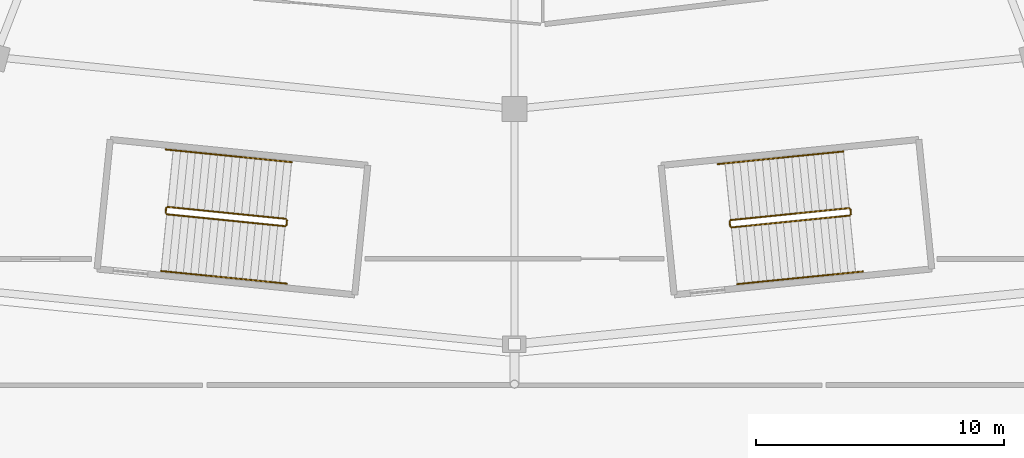
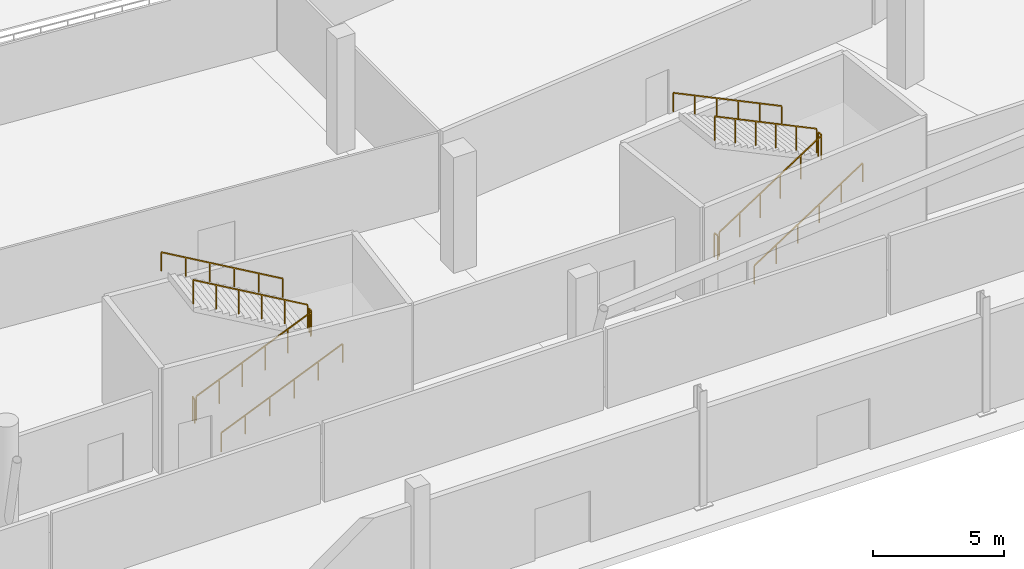
# One storey, part 62 of 82: 12 railings.
"""IFC4 building model written with IfcOpenShell, lengths in metres."""

import ifcopenshell
import ifcopenshell.guid

model = None  # the IFC model being written
_history = None  # IfcOwnerHistory: only IFC2X3 demands one
_inside = {}  # id of a spatial element -> (the spatial element, [elements in it])
_under = {}  # id of a project, library or spatial element -> (it, [spatial elements below it])
_declared = {}  # id of a project -> (the project, [libraries it declares])
_typed = {}  # id of a type object -> (the type object, [elements of that type])
_made_of = {}  # id of a material, layer set ... -> (it, [elements and type objects made of it])


def new_model(schema):
    """Start an empty IFC model of exactly this schema.

    Asked for "IFC4X3", IfcOpenShell would pick the latest addendum, in which some entities
    have other attributes; the version numbers below select the first issue.
    IFC2X3 requires an IfcOwnerHistory on every rooted entity: one is made here for all.
    """
    global model, _history
    if schema == "IFC4X3":
        model = ifcopenshell.file(schema_version=(4, 3, 0, 0))
    else:
        model = ifcopenshell.file(schema=schema)
    _inside.clear()
    _under.clear()
    _declared.clear()
    _typed.clear()
    _made_of.clear()
    _history = None
    if model.schema == "IFC2X3":
        org = make("IfcOrganization", Name="unknown")
        user = make(
            "IfcPersonAndOrganization",
            ThePerson=make("IfcPerson", FamilyName="unknown"),
            TheOrganization=org,
        )
        app = make(
            "IfcApplication",
            ApplicationDeveloper=org,
            Version="unknown",
            ApplicationFullName="unknown",
            ApplicationIdentifier="unknown",
        )
        _history = make(
            "IfcOwnerHistory",
            OwningUser=user,
            OwningApplication=app,
            ChangeAction="ADDED",
            CreationDate=0,
        )
    return model


def make(cls, **values):
    """One entity of the class cls with the attributes given. An attribute that is None is left unset."""
    return model.create_entity(
        cls, **{name: value for name, value in values.items() if value is not None}
    )


def rooted(cls, **values):
    """An entity with a GlobalId (a new one), such as an element, a storey or a relation."""
    return make(cls, GlobalId=ifcopenshell.guid.new(), OwnerHistory=_history, **values)


def si_unit(unit_type, name, prefix=None):
    """IfcSIUnit, for example si_unit("LENGTHUNIT", "METRE", prefix="MILLI")."""
    return make("IfcSIUnit", UnitType=unit_type, Prefix=prefix, Name=name)


def assignment(units):
    """IfcUnitAssignment: the units of a project."""
    return None if units is None else make("IfcUnitAssignment", Units=units)


def point(xyz):
    """IfcCartesianPoint."""
    return None if xyz is None else make("IfcCartesianPoint", Coordinates=xyz)


def direction(xyz):
    """IfcDirection."""
    return None if xyz is None else make("IfcDirection", DirectionRatios=xyz)


def frame(location, z_axis=None, x_axis=None):
    """IfcAxis2Placement3D, a coordinate frame: its origin and axes. An axis left out is left unset."""
    return make(
        "IfcAxis2Placement3D",
        Location=point(location),
        Axis=direction(z_axis),
        RefDirection=direction(x_axis),
    )


def frame_2d(location, x_axis=None):
    """IfcAxis2Placement2D, a coordinate frame in the plane: its origin and x axis."""
    return make(
        "IfcAxis2Placement2D", Location=point(location), RefDirection=direction(x_axis)
    )


def origin():
    """The frame at (0, 0, 0) with its axes left unset."""
    return frame((0.0, 0.0, 0.0))


def origin_2d():
    """The frame at (0, 0) in the plane with its x axis left unset."""
    return frame_2d((0.0, 0.0))


def place(relative_to, where):
    """IfcLocalPlacement: puts the frame where relative to a parent placement (None: the world)."""
    return make(
        "IfcLocalPlacement", PlacementRelTo=relative_to, RelativePlacement=where
    )


def context(
    kind, dimensions, precision=None, world=None, true_north=None, identifier=None
):
    """IfcGeometricRepresentationContext, for example the 3D "Model" context."""
    return make(
        "IfcGeometricRepresentationContext",
        ContextIdentifier=identifier,
        ContextType=kind,
        CoordinateSpaceDimension=dimensions,
        Precision=precision,
        WorldCoordinateSystem=world,
        TrueNorth=true_north,
    )


def subcontext(parent, identifier, kind, view, scale=None):
    """IfcGeometricRepresentationSubContext, for example "Body" below "Model"."""
    return make(
        "IfcGeometricRepresentationSubContext",
        ContextIdentifier=identifier,
        ContextType=kind,
        ParentContext=parent,
        TargetScale=scale,
        TargetView=view,
    )


def project(units=None, contexts=None):
    """IfcProject with its units and contexts."""
    return rooted(
        "IfcProject",
        Name="project",
        RepresentationContexts=contexts,
        UnitsInContext=assignment(units),
    )


def spatial(cls, under=None, at=None, **own):
    """A site, building, storey or space (cls), placed at a placement, below another one or the project."""
    s = rooted(cls, ObjectPlacement=at, **own)
    if under is not None:
        _under.setdefault(under.id(), (under, []))[1].append(s)
    return s


def profile(cls, at=None, kind="AREA", **sizes):
    """A parametric profile (cls). Its sizes go by their IFC names, for example OverallWidth=200.0."""
    return make(cls, ProfileType=kind, Position=at, **sizes)


def rectangle(**sizes):
    """IfcRectangleProfileDef."""
    return profile("IfcRectangleProfileDef", **sizes)


def extrude(swept, where, along, depth):
    """IfcExtrudedAreaSolid: the profile swept, set in the frame where, extruded along a direction by depth."""
    return make(
        "IfcExtrudedAreaSolid",
        SweptArea=swept,
        Position=where,
        ExtrudedDirection=direction(along),
        Depth=depth,
    )


def shape(context_of_items, identifier, shape_type, items):
    """IfcShapeRepresentation: the items that make up one representation, for example the "Body"."""
    return make(
        "IfcShapeRepresentation",
        ContextOfItems=context_of_items,
        RepresentationIdentifier=identifier,
        RepresentationType=shape_type,
        Items=items,
    )


def material(Name=None, Category=None):
    """IfcMaterial."""
    return make("IfcMaterial", Name=Name, Category=Category)


def made_of(thing, what):
    """Note that an element or type object is made of a material, layer set ...; save() writes the relation."""
    if what is not None:
        _made_of.setdefault(what.id(), (what, []))[1].append(thing)
    return thing


def type_object(cls, material=None, **own):
    """A type object (cls), such as IfcWallType, which elements share."""
    return made_of(rooted(cls, **own), material)


def element(
    cls,
    number,
    at=None,
    inside=None,
    cuts=None,
    type_object=None,
    material=None,
    context=None,
    identifier="Body",
    shape_type=None,
    held_by="IfcProductDefinitionShape",
    body=None,
    shapes=None,
    **own,
):
    """One element of the class cls, such as IfcWall. Its Tag is "e" and its number.

    at: its placement. inside: the storey or other place that contains it. cuts: it is an
    opening in that element (IfcRelVoidsElement). A single representation is given by context,
    identifier, shape_type and body (its items); several are given by shapes. held_by: the class
    of the entity that holds the representations. save() writes the other relations.
    """
    e = rooted(cls, Tag="e%d" % number, ObjectPlacement=at, **own)
    if body is not None:
        shapes = [shape(context, identifier, shape_type, body)]
    if shapes is not None:
        e.Representation = make(held_by, Representations=shapes)
    if inside is not None:
        _inside.setdefault(inside.id(), (inside, []))[1].append(e)
    if cuts is not None:
        rooted(
            "IfcRelVoidsElement", RelatingBuildingElement=cuts, RelatedOpeningElement=e
        )
    if type_object is not None:
        _typed.setdefault(type_object.id(), (type_object, []))[1].append(e)
    return made_of(e, material)


def aggregate(whole, parts):
    """IfcRelAggregates: a whole, such as a stair, and the parts it consists of."""
    return rooted("IfcRelAggregates", RelatingObject=whole, RelatedObjects=parts)


def save(model, path):
    """Write the relations noted so far, then the file.

    IfcRelAggregates (storeys below a building ...), IfcRelContainedInSpatialStructure (elements
    in a storey), IfcRelDefinesByType, IfcRelAssociatesMaterial and IfcRelDeclares: one each for
    every whole, place, type object, material and project.
    """
    for whole, parts in _under.values():
        aggregate(whole, parts)
    for where, things in _inside.values():
        rooted(
            "IfcRelContainedInSpatialStructure",
            RelatedElements=things,
            RelatingStructure=where,
        )
    for kind, things in _typed.values():
        rooted("IfcRelDefinesByType", RelatedObjects=things, RelatingType=kind)
    for what, things in _made_of.values():
        rooted("IfcRelAssociatesMaterial", RelatedObjects=things, RelatingMaterial=what)
    for by, libraries in _declared.values():
        rooted("IfcRelDeclares", RelatingContext=by, RelatedDefinitions=libraries)
    model.write(path)


model = new_model("IFC4")

# Units and contexts
model_context = context("Model", 3, precision=1e-05, world=origin(), true_north=direction((0.0, 1.0)))
body_context = subcontext(model_context, "Body", "Model", "MODEL_VIEW")
ifc_project = project(units=[si_unit("LENGTHUNIT", "METRE"), si_unit("AREAUNIT", "SQUARE_METRE"), si_unit("VOLUMEUNIT", "CUBIC_METRE"), si_unit("PLANEANGLEUNIT", "RADIAN"), si_unit("MASSUNIT", "GRAM", prefix="KILO")], contexts=[model_context])

# Site, building, storey
site_placement = place(None, origin())
site = spatial("IfcSite", under=ifc_project, at=site_placement, CompositionType="ELEMENT")
building_placement = place(site_placement, origin())
building = spatial("IfcBuilding", under=site, at=building_placement, Name="Zlatoyarsky Gate Stadium", CompositionType="ELEMENT")
storey_placement = place(building_placement, origin())
storey = spatial("IfcBuildingStorey", under=building, at=storey_placement, Name="L00", CompositionType="ELEMENT", Elevation=0.0)

# Railings
ifc_material_1 = material(Name="Powder-coated steel stair guardrail", Category="steel")
railing_type_1 = type_object("IfcRailingType", Name="PAINTED STEEL STAIR WELL GUARDRAIL 1150", PredefinedType="GUARDRAIL", material=ifc_material_1)
railing_1_placement = place(storey_placement, frame((119.760986328125, 13.717529296875, 0.158935546875)))
element("IfcRailing", 1, at=railing_1_placement, inside=storey, type_object=railing_type_1, Name="ST-10 L00 stair guard 1", PredefinedType="GUARDRAIL", context=body_context, shape_type="SweptSolid", body=[
    extrude(rectangle(XDim=0.048095703125, YDim=0.048095703125, at=origin_2d()), frame((0.0, 0.0, 1.1259765625), z_axis=(0.879377991235, 0.088373824606, 0.46785084766), x_axis=(-0.099992171352, 0.994988223884, 0.0)), (0.0, 0.0, 1.0), 5.43115234375),
    extrude(rectangle(XDim=0.0419921875, YDim=0.0419921875, at=origin_2d()), origin(), (0.0, 0.0, 1.0), 1.101806640625),
    extrude(rectangle(XDim=0.0419921875, YDim=0.0419921875, at=origin_2d()), frame((0.955322265625, 0.095947265625, 0.50830078125)), (0.0, 0.0, 1.0), 1.101806640625),
    extrude(rectangle(XDim=0.0419921875, YDim=0.0419921875, at=origin_2d()), frame((1.910400390625, 0.19189453125, 1.016357421875)), (0.0, 0.0, 1.0), 1.101806640625),
    extrude(rectangle(XDim=0.0419921875, YDim=0.0419921875, at=origin_2d()), frame((2.86572265625, 0.2880859375, 1.524658203125)), (0.0, 0.0, 1.0), 1.101806640625),
    extrude(rectangle(XDim=0.0419921875, YDim=0.0419921875, at=origin_2d()), frame((3.82080078125, 0.384033203125, 2.03271484375)), (0.0, 0.0, 1.0), 1.101806640625),
    extrude(rectangle(XDim=0.0419921875, YDim=0.0419921875, at=origin_2d()), frame((4.776123046875, 0.47998046875, 2.541015625)), (0.0, 0.0, 1.0), 1.101806640625),
])
railing_2_placement = place(storey_placement, frame((124.581787109375, 14.252197265625, 2.699951171875)))
element("IfcRailing", 2, at=railing_2_placement, inside=storey, type_object=railing_type_1, Name="ST-10 L00 stair guard 2", PredefinedType="GUARDRAIL", context=body_context, shape_type="SweptSolid", body=[
    extrude(rectangle(XDim=0.048095703125, YDim=0.048095703125, at=origin_2d()), frame((0.0, 0.0, 1.1259765625), z_axis=(-0.100108072026, 0.994976569531, 0.0), x_axis=(-0.994976569531, -0.100108072026, 0.0)), (0.0, 0.0, 1.0), 0.199951171875),
    extrude(rectangle(XDim=0.0419921875, YDim=0.0419921875, at=origin_2d()), origin(), (0.0, 0.0, 1.0), 1.101806640625),
    extrude(rectangle(XDim=0.0419921875, YDim=0.0419921875, at=origin_2d()), frame((-0.02001953125, 0.198974609375, 0.0)), (0.0, 0.0, 1.0), 1.101806640625),
])
railing_3_placement = place(storey_placement, frame((124.507080078125, 14.495849609375, 2.85888671875)))
element("IfcRailing", 3, at=railing_3_placement, inside=storey, type_object=railing_type_1, Name="ST-10 L00 stair guard 3", PredefinedType="GUARDRAIL", context=body_context, shape_type="SweptSolid", body=[
    extrude(rectangle(XDim=0.048095703125, YDim=0.048095703125, at=origin_2d()), frame((0.0, 0.0, 1.1259765625), z_axis=(-0.879367800475, -0.088377318052, 0.467869341956), x_axis=(0.099997231792, -0.994987715318, 0.0)), (0.0, 0.0, 1.0), 5.43115234375),
    extrude(rectangle(XDim=0.0419921875, YDim=0.0419921875, at=origin_2d()), origin(), (0.0, 0.0, 1.0), 1.101806640625),
    extrude(rectangle(XDim=0.0419921875, YDim=0.0419921875, at=origin_2d()), frame((-0.955078125, -0.095947265625, 0.50830078125)), (0.0, 0.0, 1.0), 1.101806640625),
    extrude(rectangle(XDim=0.0419921875, YDim=0.0419921875, at=origin_2d()), frame((-1.910400390625, -0.19189453125, 1.016357421875)), (0.0, 0.0, 1.0), 1.101806640625),
    extrude(rectangle(XDim=0.0419921875, YDim=0.0419921875, at=origin_2d()), frame((-2.865478515625, -0.2880859375, 1.524658203125)), (0.0, 0.0, 1.0), 1.101806640625),
    extrude(rectangle(XDim=0.0419921875, YDim=0.0419921875, at=origin_2d()), frame((-3.82080078125, -0.384033203125, 2.03271484375)), (0.0, 0.0, 1.0), 1.101806640625),
    extrude(rectangle(XDim=0.0419921875, YDim=0.0419921875, at=origin_2d()), frame((-4.77587890625, -0.47998046875, 2.541015625)), (0.0, 0.0, 1.0), 1.101806640625),
])
railing_4_placement = place(storey_placement, frame((119.706298828125, 13.76220703125, 0.0)))
element("IfcRailing", 4, at=railing_4_placement, inside=storey, type_object=railing_type_1, Name="ST-10 L00 stair guard 4", PredefinedType="GUARDRAIL", context=body_context, shape_type="SweptSolid", body=[
    extrude(rectangle(XDim=0.048095703125, YDim=0.048095703125, at=origin_2d()), frame((0.0, 0.0, 1.1259765625), z_axis=(-0.100108072026, 0.994976569531, 0.0), x_axis=(-0.994976569531, -0.100108072026, 0.0)), (0.0, 0.0, 1.0), 0.199951171875),
    extrude(rectangle(XDim=0.0419921875, YDim=0.0419921875, at=origin_2d()), origin(), (0.0, 0.0, 1.0), 1.101806640625),
    extrude(rectangle(XDim=0.0419921875, YDim=0.0419921875, at=origin_2d()), frame((-0.02001953125, 0.198974609375, 0.0)), (0.0, 0.0, 1.0), 1.101806640625),
])
railing_5_placement = place(storey_placement, frame((96.96533203125, 14.247314453125, 0.158935546875)))
element("IfcRailing", 5, at=railing_5_placement, inside=storey, type_object=railing_type_1, Name="ST-19 L00 stair guard 1", PredefinedType="GUARDRAIL", context=body_context, shape_type="SweptSolid", body=[
    extrude(rectangle(XDim=0.048095703125, YDim=0.048095703125, at=origin_2d()), frame((0.0, 0.0, 1.1259765625), z_axis=(0.879377991235, -0.088373824606, 0.46785084766), x_axis=(0.099992171352, 0.994988223884, 0.0)), (0.0, 0.0, 1.0), 5.43115234375),
    extrude(rectangle(XDim=0.0419921875, YDim=0.0419921875, at=origin_2d()), origin(), (0.0, 0.0, 1.0), 1.101806640625),
    extrude(rectangle(XDim=0.0419921875, YDim=0.0419921875, at=origin_2d()), frame((0.955322265625, -0.095947265625, 0.50830078125)), (0.0, 0.0, 1.0), 1.101806640625),
    extrude(rectangle(XDim=0.0419921875, YDim=0.0419921875, at=origin_2d()), frame((1.910400390625, -0.19189453125, 1.016357421875)), (0.0, 0.0, 1.0), 1.101806640625),
    extrude(rectangle(XDim=0.0419921875, YDim=0.0419921875, at=origin_2d()), frame((2.86572265625, -0.2880859375, 1.524658203125)), (0.0, 0.0, 1.0), 1.101806640625),
    extrude(rectangle(XDim=0.0419921875, YDim=0.0419921875, at=origin_2d()), frame((3.82080078125, -0.384033203125, 2.03271484375)), (0.0, 0.0, 1.0), 1.101806640625),
    extrude(rectangle(XDim=0.0419921875, YDim=0.0419921875, at=origin_2d()), frame((4.776123046875, -0.47998046875, 2.541015625)), (0.0, 0.0, 1.0), 1.101806640625),
])
railing_6_placement = place(storey_placement, frame((101.796142578125, 13.81201171875, 2.699951171875)))
element("IfcRailing", 6, at=railing_6_placement, inside=storey, type_object=railing_type_1, Name="ST-19 L00 stair guard 2", PredefinedType="GUARDRAIL", context=body_context, shape_type="SweptSolid", body=[
    extrude(rectangle(XDim=0.048095703125, YDim=0.048095703125, at=origin_2d()), frame((0.0, 0.0, 1.1259765625), z_axis=(0.099986617797, 0.994988781978, 0.0), x_axis=(-0.994988781978, 0.099986617797, 0.0)), (0.0, 0.0, 1.0), 0.2001953125),
    extrude(rectangle(XDim=0.0419921875, YDim=0.0419921875, at=origin_2d()), origin(), (0.0, 0.0, 1.0), 1.101806640625),
    extrude(rectangle(XDim=0.0419921875, YDim=0.0419921875, at=origin_2d()), frame((0.02001953125, 0.19921875, 0.0)), (0.0, 0.0, 1.0), 1.101806640625),
])
railing_7_placement = place(storey_placement, frame((101.771484375, 14.06591796875, 2.85888671875)))
element("IfcRailing", 7, at=railing_7_placement, inside=storey, type_object=railing_type_1, Name="ST-19 L00 stair guard 3", PredefinedType="GUARDRAIL", context=body_context, shape_type="SweptSolid", body=[
    extrude(rectangle(XDim=0.048095703125, YDim=0.048095703125, at=origin_2d()), frame((0.0, 0.0, 1.1259765625), z_axis=(-0.879377991235, 0.088373824606, 0.46785084766), x_axis=(-0.099992171352, -0.994988223884, 0.0)), (0.0, 0.0, 1.0), 5.43115234375),
    extrude(rectangle(XDim=0.0419921875, YDim=0.0419921875, at=origin_2d()), origin(), (0.0, 0.0, 1.0), 1.101806640625),
    extrude(rectangle(XDim=0.0419921875, YDim=0.0419921875, at=origin_2d()), frame((-0.955322265625, 0.095947265625, 0.50830078125)), (0.0, 0.0, 1.0), 1.101806640625),
    extrude(rectangle(XDim=0.0419921875, YDim=0.0419921875, at=origin_2d()), frame((-1.910400390625, 0.19189453125, 1.016357421875)), (0.0, 0.0, 1.0), 1.101806640625),
    extrude(rectangle(XDim=0.0419921875, YDim=0.0419921875, at=origin_2d()), frame((-2.86572265625, 0.2880859375, 1.524658203125)), (0.0, 0.0, 1.0), 1.101806640625),
    extrude(rectangle(XDim=0.0419921875, YDim=0.0419921875, at=origin_2d()), frame((-3.82080078125, 0.384033203125, 2.03271484375)), (0.0, 0.0, 1.0), 1.101806640625),
    extrude(rectangle(XDim=0.0419921875, YDim=0.0419921875, at=origin_2d()), frame((-4.776123046875, 0.47998046875, 2.541015625)), (0.0, 0.0, 1.0), 1.101806640625),
])
railing_8_placement = place(storey_placement, frame((96.920654296875, 14.30224609375, 0.0)))
element("IfcRailing", 8, at=railing_8_placement, inside=storey, type_object=railing_type_1, Name="ST-19 L00 stair guard 4", PredefinedType="GUARDRAIL", context=body_context, shape_type="SweptSolid", body=[
    extrude(rectangle(XDim=0.048095703125, YDim=0.048095703125, at=origin_2d()), frame((0.0, 0.0, 1.1259765625), z_axis=(0.100108072026, 0.994976569531, 0.0), x_axis=(-0.994976569531, 0.100108072026, 0.0)), (0.0, 0.0, 1.0), 0.199951171875),
    extrude(rectangle(XDim=0.0419921875, YDim=0.0419921875, at=origin_2d()), origin(), (0.0, 0.0, 1.0), 1.101806640625),
    extrude(rectangle(XDim=0.0419921875, YDim=0.0419921875, at=origin_2d()), frame((0.02001953125, 0.198974609375, 0.0)), (0.0, 0.0, 1.0), 1.101806640625),
])
ifc_material_2 = material(Name="Brushed stainless steel 316 handrail", Category="steel")
railing_type_2 = type_object("IfcRailingType", Name="STAINLESS STEEL TUBULAR HANDRAIL 900", PredefinedType="HANDRAIL", material=ifc_material_2)
railing_9_placement = place(storey_placement, frame((119.9912109375, 11.428955078125, 0.162841796875)))
element("IfcRailing", 9, at=railing_9_placement, inside=storey, type_object=railing_type_2, Name="ST-10 L00 stair handrail 1", PredefinedType="HANDRAIL", context=body_context, shape_type="SweptSolid", body=[
    extrude(rectangle(XDim=0.048095703125, YDim=0.048095703125, at=origin_2d()), frame((0.0, 0.0, 0.8759765625), z_axis=(0.879352690417, 0.088383745683, 0.467896526334), x_axis=(-0.100006133008, 0.994986820697, 0.0)), (0.0, 0.0, 1.0), 5.7705078125),
    extrude(rectangle(XDim=0.0419921875, YDim=0.0419921875, at=origin_2d()), origin(), (0.0, 0.0, 1.0), 0.851806640625),
    extrude(rectangle(XDim=0.0419921875, YDim=0.0419921875, at=origin_2d()), frame((1.014892578125, 0.10205078125, 0.5400390625)), (0.0, 0.0, 1.0), 0.851806640625),
    extrude(rectangle(XDim=0.0419921875, YDim=0.0419921875, at=origin_2d()), frame((2.02978515625, 0.2041015625, 1.080078125)), (0.0, 0.0, 1.0), 0.851806640625),
    extrude(rectangle(XDim=0.0419921875, YDim=0.0419921875, at=origin_2d()), frame((3.04443359375, 0.305908203125, 1.619873046875)), (0.0, 0.0, 1.0), 0.851806640625),
    extrude(rectangle(XDim=0.0419921875, YDim=0.0419921875, at=origin_2d()), frame((4.059326171875, 0.407958984375, 2.159912109375)), (0.0, 0.0, 1.0), 0.851806640625),
    extrude(rectangle(XDim=0.0419921875, YDim=0.0419921875, at=origin_2d()), frame((5.07421875, 0.510009765625, 2.699951171875)), (0.0, 0.0, 1.0), 0.851806640625),
])
railing_10_placement = place(storey_placement, frame((124.277099609375, 16.784423828125, 2.86279296875)))
element("IfcRailing", 10, at=railing_10_placement, inside=storey, type_object=railing_type_2, Name="ST-10 L00 stair handrail 2", PredefinedType="HANDRAIL", context=body_context, shape_type="SweptSolid", body=[
    extrude(rectangle(XDim=0.048095703125, YDim=0.048095703125, at=origin_2d()), frame((0.0, 0.0, 0.8759765625), z_axis=(-0.879362283002, -0.088380457503, 0.467879118967), x_axis=(0.100001369668, -0.994987299449, 0.0)), (0.0, 0.0, 1.0), 5.7705078125),
    extrude(rectangle(XDim=0.0419921875, YDim=0.0419921875, at=origin_2d()), origin(), (0.0, 0.0, 1.0), 0.851806640625),
    extrude(rectangle(XDim=0.0419921875, YDim=0.0419921875, at=origin_2d()), frame((-1.014892578125, -0.10205078125, 0.5400390625)), (0.0, 0.0, 1.0), 0.851806640625),
    extrude(rectangle(XDim=0.0419921875, YDim=0.0419921875, at=origin_2d()), frame((-2.02978515625, -0.2041015625, 1.080078125)), (0.0, 0.0, 1.0), 0.851806640625),
    extrude(rectangle(XDim=0.0419921875, YDim=0.0419921875, at=origin_2d()), frame((-3.044677734375, -0.305908203125, 1.619873046875)), (0.0, 0.0, 1.0), 0.851806640625),
    extrude(rectangle(XDim=0.0419921875, YDim=0.0419921875, at=origin_2d()), frame((-4.0595703125, -0.407958984375, 2.159912109375)), (0.0, 0.0, 1.0), 0.851806640625),
    extrude(rectangle(XDim=0.0419921875, YDim=0.0419921875, at=origin_2d()), frame((-5.074462890625, -0.510009765625, 2.699951171875)), (0.0, 0.0, 1.0), 0.851806640625),
])
railing_11_placement = place(storey_placement, frame((96.7353515625, 11.958984375, 0.162841796875)))
element("IfcRailing", 11, at=railing_11_placement, inside=storey, type_object=railing_type_2, Name="ST-19 L00 stair handrail 1", PredefinedType="HANDRAIL", context=body_context, shape_type="SweptSolid", body=[
    extrude(rectangle(XDim=0.048095703125, YDim=0.048095703125, at=origin_2d()), frame((0.0, 0.0, 0.8759765625), z_axis=(0.879362283002, -0.088380457503, 0.467879118967), x_axis=(0.100001369668, 0.994987299449, 0.0)), (0.0, 0.0, 1.0), 5.7705078125),
    extrude(rectangle(XDim=0.0419921875, YDim=0.0419921875, at=origin_2d()), origin(), (0.0, 0.0, 1.0), 0.851806640625),
    extrude(rectangle(XDim=0.0419921875, YDim=0.0419921875, at=origin_2d()), frame((1.014892578125, -0.10205078125, 0.5400390625)), (0.0, 0.0, 1.0), 0.851806640625),
    extrude(rectangle(XDim=0.0419921875, YDim=0.0419921875, at=origin_2d()), frame((2.02978515625, -0.2041015625, 1.080078125)), (0.0, 0.0, 1.0), 0.851806640625),
    extrude(rectangle(XDim=0.0419921875, YDim=0.0419921875, at=origin_2d()), frame((3.044677734375, -0.305908203125, 1.619873046875)), (0.0, 0.0, 1.0), 0.851806640625),
    extrude(rectangle(XDim=0.0419921875, YDim=0.0419921875, at=origin_2d()), frame((4.0595703125, -0.407958984375, 2.159912109375)), (0.0, 0.0, 1.0), 0.851806640625),
    extrude(rectangle(XDim=0.0419921875, YDim=0.0419921875, at=origin_2d()), frame((5.074462890625, -0.510009765625, 2.699951171875)), (0.0, 0.0, 1.0), 0.851806640625),
])
railing_12_placement = place(storey_placement, frame((102.00146484375, 16.354248046875, 2.86279296875)))
element("IfcRailing", 12, at=railing_12_placement, inside=storey, type_object=railing_type_2, Name="ST-19 L00 stair handrail 2", PredefinedType="HANDRAIL", context=body_context, shape_type="SweptSolid", body=[
    extrude(rectangle(XDim=0.048095703125, YDim=0.048095703125, at=origin_2d()), frame((0.0, 0.0, 0.8759765625), z_axis=(-0.879362283002, 0.088380457503, 0.467879118967), x_axis=(-0.100001369668, -0.994987299449, 0.0)), (0.0, 0.0, 1.0), 5.7705078125),
    extrude(rectangle(XDim=0.0419921875, YDim=0.0419921875, at=origin_2d()), origin(), (0.0, 0.0, 1.0), 0.851806640625),
    extrude(rectangle(XDim=0.0419921875, YDim=0.0419921875, at=origin_2d()), frame((-1.014892578125, 0.10205078125, 0.5400390625)), (0.0, 0.0, 1.0), 0.851806640625),
    extrude(rectangle(XDim=0.0419921875, YDim=0.0419921875, at=origin_2d()), frame((-2.02978515625, 0.2041015625, 1.080078125)), (0.0, 0.0, 1.0), 0.851806640625),
    extrude(rectangle(XDim=0.0419921875, YDim=0.0419921875, at=origin_2d()), frame((-3.044677734375, 0.305908203125, 1.619873046875)), (0.0, 0.0, 1.0), 0.851806640625),
    extrude(rectangle(XDim=0.0419921875, YDim=0.0419921875, at=origin_2d()), frame((-4.0595703125, 0.407958984375, 2.159912109375)), (0.0, 0.0, 1.0), 0.851806640625),
    extrude(rectangle(XDim=0.0419921875, YDim=0.0419921875, at=origin_2d()), frame((-5.074462890625, 0.510009765625, 2.699951171875)), (0.0, 0.0, 1.0), 0.851806640625),
])

save(model, "model.ifc")
